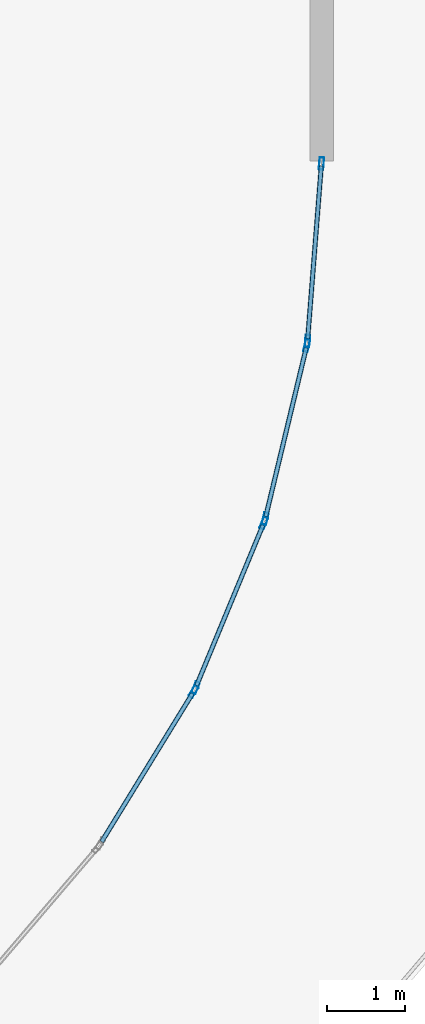
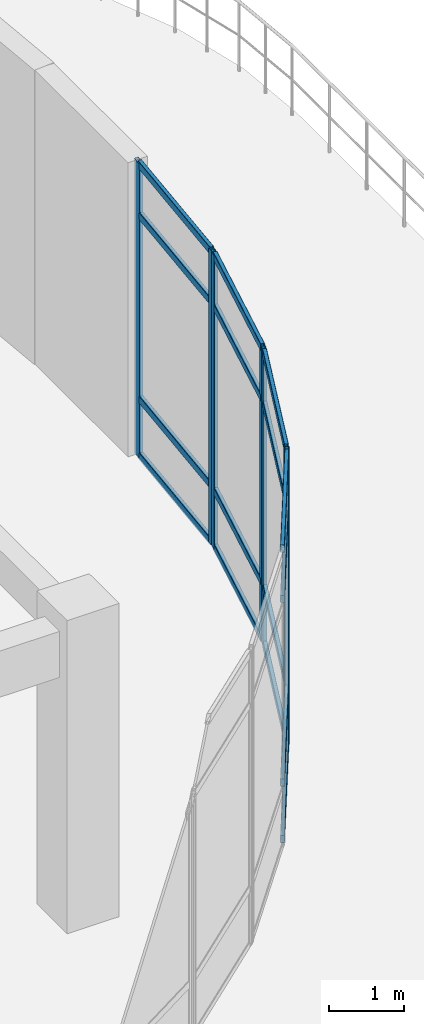
# One storey, part 79 of 124: 23 members, 4 elements without a shape of their own.
"""IFC4 building model written with IfcOpenShell, lengths in metres."""

from ifc_helpers import new_model, si_unit, derived_unit, direction, frame, origin, origin_2d, place, context, subcontext, project, spatial, hollow_rectangle, extrude, material, layer, layer_set, material_profile, profile_set, type_object, element, aggregate, save


model = new_model("IFC4")

# Units and contexts
model_context = context("Model", 3, precision=1e-05, world=origin(), true_north=direction((0.0, 1.0)))
body_context = subcontext(model_context, "Body", "Model", "MODEL_VIEW")
ifc_project = project(units=[si_unit("LENGTHUNIT", "METRE"), si_unit("AREAUNIT", "SQUARE_METRE"), si_unit("VOLUMEUNIT", "CUBIC_METRE"), si_unit("PLANEANGLEUNIT", "RADIAN"), si_unit("MASSUNIT", "GRAM", prefix="KILO"), derived_unit("THERMALTRANSMITTANCEUNIT", [(si_unit("MASSUNIT", "GRAM", prefix="KILO"), 1), (si_unit("TIMEUNIT", "SECOND"), -3), (si_unit("THERMODYNAMICTEMPERATUREUNIT", "KELVIN"), -1)])], contexts=[model_context])

# Site, building, storey
site_placement = place(None, origin())
site = spatial("IfcSite", under=ifc_project, at=site_placement, CompositionType="ELEMENT")
building_placement = place(site_placement, origin())
building = spatial("IfcBuilding", under=site, at=building_placement, Name="Qinzheling Arcade Emporium", CompositionType="ELEMENT")
storey_placement = place(building_placement, frame((0.0, 0.0, 16.5)))
storey = spatial("IfcBuildingStorey", under=building, at=storey_placement, Name="L04", CompositionType="ELEMENT", Elevation=16.5)

# Curtain wall, members
ifc_material_1 = material(Name="Anodised aluminium and solar-control double glazing", Category="aluminium")
ifc_layer_1 = layer(ifc_material_1, 0.159912109375, Name="Anodised aluminium and solar-control double glazing", Category="aluminium")
ifc_layer_set_1 = layer_set([ifc_layer_1], Name="Anodised aluminium and solar-control double glazing")
curtain_wall_type_1 = type_object("IfcCurtainWallType", Name="Food Hall Loggia Curtain Wall", PredefinedType="NOTDEFINED", material=ifc_layer_set_1)
curtain_wall_1_placement = place(storey_placement, origin())
curtain_wall_1 = element("IfcCurtainWall", 1, at=curtain_wall_1_placement, inside=storey, type_object=curtain_wall_type_1, Name="Curtain Wall CW-L04-208", PredefinedType="NOTDEFINED")
ifc_material_2 = material(Name="Anodised aluminium 6063-T6", Category="aluminium")
ifc_material_profile_1 = material_profile(ifc_material_2, hollow_rectangle(XDim=0.06005859375, YDim=0.159912109375, WallThickness=0.00390625, InnerFilletRadius=0.00390625, OuterFilletRadius=0.008056640625, at=origin_2d()), Name="RHS 160x60x4", Category="aluminium")
ifc_profile_set_1 = profile_set([ifc_material_profile_1], Name="Anodised aluminium 6063-T6")
member_type_1 = type_object("IfcMemberType", Name="Curtain Wall Mullion RHS160x60", PredefinedType="MULLION", material=ifc_profile_set_1)
member_1_placement = place(storey_placement, frame((162.59765625, 17.170166015625, 0.0), z_axis=(0.0, 0.0, 1.0), x_axis=(0.996907788119, -0.078580290076, 0.0)))
member_1 = element("IfcMember", 2, at=member_1_placement, type_object=member_type_1, Name="CW04 mullion 1", PredefinedType="MULLION", context=body_context, shape_type="SweptSolid", body=[
    extrude(hollow_rectangle(XDim=0.06005859375, YDim=0.159912109375, WallThickness=0.00390625, InnerFilletRadius=0.00390625, OuterFilletRadius=0.008056640625, at=origin_2d()), origin(), (0.0, 0.0, 1.0), 4.7900390625),
])
member_2_placement = place(storey_placement, frame((162.417236328125, 14.8828125, 0.0), z_axis=(0.0, 0.0, 1.0), x_axis=(0.996907788119, -0.078580290076, 0.0)))
member_2 = element("IfcMember", 3, at=member_2_placement, type_object=member_type_1, Name="CW04 mullion 2", PredefinedType="MULLION", context=body_context, shape_type="SweptSolid", body=[
    extrude(hollow_rectangle(XDim=0.06005859375, YDim=0.159912109375, WallThickness=0.00390625, InnerFilletRadius=0.00390625, OuterFilletRadius=0.008056640625, at=origin_2d()), origin(), (0.0, 0.0, 1.0), 4.7900390625),
])

ifc_layer_2 = layer(ifc_material_1, 0.159912109375, Name="Anodised aluminium and solar-control double glazing", Category="aluminium")
ifc_layer_set_2 = layer_set([ifc_layer_2], Name="Anodised aluminium and solar-control double glazing")
curtain_wall_type_2 = type_object("IfcCurtainWallType", Name="Curved Ribbon Sales Curtain Wall", PredefinedType="NOTDEFINED", material=ifc_layer_set_2)
curtain_wall_2_placement = place(storey_placement, origin())
curtain_wall_2 = element("IfcCurtainWall", 4, at=curtain_wall_2_placement, inside=storey, type_object=curtain_wall_type_2, Name="Curtain Wall CW-L04-209", PredefinedType="NOTDEFINED")
member_3_placement = place(storey_placement, frame((162.407958984375, 14.82373046875, 0.0), z_axis=(0.0, 0.0, 1.0), x_axis=(0.972398874145, -0.233324729854, 0.0)))
member_3 = element("IfcMember", 5, at=member_3_placement, type_object=member_type_1, Name="CW02 mullion 1", PredefinedType="MULLION", context=body_context, shape_type="SweptSolid", body=[
    extrude(hollow_rectangle(XDim=0.06005859375, YDim=0.159912109375, WallThickness=0.00390625, InnerFilletRadius=0.00390625, OuterFilletRadius=0.008056640625, at=origin_2d()), origin(), (0.0, 0.0, 1.0), 4.7900390625),
])
member_4_placement = place(storey_placement, frame((161.873046875, 12.59423828125, 0.0), z_axis=(0.0, 0.0, 1.0), x_axis=(0.972398874145, -0.233324729854, 0.0)))
member_4 = element("IfcMember", 6, at=member_4_placement, type_object=member_type_1, Name="CW02 mullion 2", PredefinedType="MULLION", context=body_context, shape_type="SweptSolid", body=[
    extrude(hollow_rectangle(XDim=0.06005859375, YDim=0.159912109375, WallThickness=0.00390625, InnerFilletRadius=0.00390625, OuterFilletRadius=0.008056640625, at=origin_2d()), origin(), (0.0, 0.0, 1.0), 4.7900390625),
])

curtain_wall_3_placement = place(storey_placement, origin())
curtain_wall_3 = element("IfcCurtainWall", 7, at=curtain_wall_3_placement, inside=storey, type_object=curtain_wall_type_2, Name="Curtain Wall CW-L04-210", PredefinedType="NOTDEFINED")
member_5_placement = place(storey_placement, frame((161.8544921875, 12.537353515625, 0.0), z_axis=(0.0, 0.0, 1.0), x_axis=(0.923866691535, -0.382714431752, 0.0)))
member_5 = element("IfcMember", 8, at=member_5_placement, type_object=member_type_1, Name="CW02 mullion 1", PredefinedType="MULLION", context=body_context, shape_type="SweptSolid", body=[
    extrude(hollow_rectangle(XDim=0.06005859375, YDim=0.159912109375, WallThickness=0.00390625, InnerFilletRadius=0.00390625, OuterFilletRadius=0.008056640625, at=origin_2d()), origin(), (0.0, 0.0, 1.0), 4.7900390625),
])
member_6_placement = place(storey_placement, frame((160.9765625, 10.417724609375, 0.0), z_axis=(0.0, 0.0, 1.0), x_axis=(0.923866691535, -0.382714431752, 0.0)))
member_6 = element("IfcMember", 9, at=member_6_placement, type_object=member_type_1, Name="CW02 mullion 2", PredefinedType="MULLION", context=body_context, shape_type="SweptSolid", body=[
    extrude(hollow_rectangle(XDim=0.06005859375, YDim=0.159912109375, WallThickness=0.00390625, InnerFilletRadius=0.00390625, OuterFilletRadius=0.008056640625, at=origin_2d()), origin(), (0.0, 0.0, 1.0), 4.7900390625),
])

# Curtain wall, member
curtain_wall_4_placement = place(storey_placement, origin())
curtain_wall_4 = element("IfcCurtainWall", 10, at=curtain_wall_4_placement, inside=storey, type_object=curtain_wall_type_2, Name="Curtain Wall CW-L04-211", PredefinedType="NOTDEFINED")
member_7_placement = place(storey_placement, frame((160.94921875, 10.364501953125, 0.0), z_axis=(0.0, 0.0, 1.0), x_axis=(0.852619568756, -0.522532172191, 0.0)))
member_7 = element("IfcMember", 11, at=member_7_placement, type_object=member_type_1, Name="CW02 mullion 1", PredefinedType="MULLION", context=body_context, shape_type="SweptSolid", body=[
    extrude(hollow_rectangle(XDim=0.06005859375, YDim=0.159912109375, WallThickness=0.00390625, InnerFilletRadius=0.00390625, OuterFilletRadius=0.008056640625, at=origin_2d()), origin(), (0.0, 0.0, 1.0), 4.7900390625),
])

# Member
ifc_material_profile_2 = material_profile(ifc_material_2, hollow_rectangle(XDim=0.06005859375, YDim=0.1201171875, WallThickness=0.00390625, InnerFilletRadius=0.00390625, OuterFilletRadius=0.008056640625, at=origin_2d()), Name="RHS 120x60x4", Category="aluminium")
ifc_profile_set_2 = profile_set([ifc_material_profile_2], Name="Anodised aluminium 6063-T6")
member_type_2 = type_object("IfcMemberType", Name="Curtain Wall Transom RHS120x60", PredefinedType="USERDEFINED", material=ifc_profile_set_2)
member_8_placement = place(storey_placement, frame((162.59521484375, 17.14013671875, 0.030029296875), z_axis=(-0.078568166905, -0.996908743642, 0.0), x_axis=(0.996908743642, -0.078568166905, 0.0)))
member_8 = element("IfcMember", 12, at=member_8_placement, type_object=member_type_2, Name="CW04 transom 1.1", ObjectType="TRANSOM", PredefinedType="USERDEFINED", context=body_context, shape_type="SweptSolid", body=[
    extrude(hollow_rectangle(XDim=0.06005859375, YDim=0.1201171875, WallThickness=0.00390625, InnerFilletRadius=0.00390625, OuterFilletRadius=0.008056640625, at=origin_2d()), origin(), (0.0, 0.0, 1.0), 2.234130859375),
])

member_9_placement = place(storey_placement, frame((162.59521484375, 17.14013671875, 0.949951171875), z_axis=(-0.078568166905, -0.996908743642, 0.0), x_axis=(0.996908743642, -0.078568166905, 0.0)))
member_9 = element("IfcMember", 13, at=member_9_placement, type_object=member_type_2, Name="CW04 transom 1.2", ObjectType="TRANSOM", PredefinedType="USERDEFINED", context=body_context, shape_type="SweptSolid", body=[
    extrude(hollow_rectangle(XDim=0.06005859375, YDim=0.1201171875, WallThickness=0.00390625, InnerFilletRadius=0.00390625, OuterFilletRadius=0.008056640625, at=origin_2d()), origin(), (0.0, 0.0, 1.0), 2.234130859375),
])

member_10_placement = place(storey_placement, frame((162.59521484375, 17.14013671875, 3.93994140625), z_axis=(-0.078568166905, -0.996908743642, 0.0), x_axis=(0.996908743642, -0.078568166905, 0.0)))
member_10 = element("IfcMember", 14, at=member_10_placement, type_object=member_type_2, Name="CW04 transom 1.3", ObjectType="TRANSOM", PredefinedType="USERDEFINED", context=body_context, shape_type="SweptSolid", body=[
    extrude(hollow_rectangle(XDim=0.06005859375, YDim=0.1201171875, WallThickness=0.00390625, InnerFilletRadius=0.00390625, OuterFilletRadius=0.008056640625, at=origin_2d()), origin(), (0.0, 0.0, 1.0), 2.234130859375),
])

member_11_placement = place(storey_placement, frame((162.59521484375, 17.14013671875, 4.760009765625), z_axis=(-0.078568166905, -0.996908743642, 0.0), x_axis=(0.996908743642, -0.078568166905, 0.0)))
member_11 = element("IfcMember", 15, at=member_11_placement, type_object=member_type_2, Name="CW04 transom 1.4", ObjectType="TRANSOM", PredefinedType="USERDEFINED", context=body_context, shape_type="SweptSolid", body=[
    extrude(hollow_rectangle(XDim=0.06005859375, YDim=0.1201171875, WallThickness=0.00390625, InnerFilletRadius=0.00390625, OuterFilletRadius=0.008056640625, at=origin_2d()), origin(), (0.0, 0.0, 1.0), 2.234130859375),
])

aggregate(curtain_wall_1, [member_1, member_2, member_8, member_9, member_10, member_11])

member_12_placement = place(storey_placement, frame((162.40087890625, 14.794677734375, 0.030029296875), z_axis=(-0.233315060543, -0.972401194222, 0.0), x_axis=(0.972401194222, -0.233315060543, 0.0)))
member_12 = element("IfcMember", 16, at=member_12_placement, type_object=member_type_2, Name="CW02 transom 1.1", ObjectType="TRANSOM", PredefinedType="USERDEFINED", context=body_context, shape_type="SweptSolid", body=[
    extrude(hollow_rectangle(XDim=0.06005859375, YDim=0.1201171875, WallThickness=0.00390625, InnerFilletRadius=0.00390625, OuterFilletRadius=0.008056640625, at=origin_2d()), origin(), (0.0, 0.0, 1.0), 2.23291015625),
])

member_13_placement = place(storey_placement, frame((162.40087890625, 14.794677734375, 0.949951171875), z_axis=(-0.233315060543, -0.972401194222, 0.0), x_axis=(0.972401194222, -0.233315060543, 0.0)))
member_13 = element("IfcMember", 17, at=member_13_placement, type_object=member_type_2, Name="CW02 transom 1.2", ObjectType="TRANSOM", PredefinedType="USERDEFINED", context=body_context, shape_type="SweptSolid", body=[
    extrude(hollow_rectangle(XDim=0.06005859375, YDim=0.1201171875, WallThickness=0.00390625, InnerFilletRadius=0.00390625, OuterFilletRadius=0.008056640625, at=origin_2d()), origin(), (0.0, 0.0, 1.0), 2.23291015625),
])

member_14_placement = place(storey_placement, frame((162.40087890625, 14.794677734375, 3.93994140625), z_axis=(-0.233315060543, -0.972401194222, 0.0), x_axis=(0.972401194222, -0.233315060543, 0.0)))
member_14 = element("IfcMember", 18, at=member_14_placement, type_object=member_type_2, Name="CW02 transom 1.3", ObjectType="TRANSOM", PredefinedType="USERDEFINED", context=body_context, shape_type="SweptSolid", body=[
    extrude(hollow_rectangle(XDim=0.06005859375, YDim=0.1201171875, WallThickness=0.00390625, InnerFilletRadius=0.00390625, OuterFilletRadius=0.008056640625, at=origin_2d()), origin(), (0.0, 0.0, 1.0), 2.23291015625),
])

member_15_placement = place(storey_placement, frame((162.40087890625, 14.794677734375, 4.760009765625), z_axis=(-0.233315060543, -0.972401194222, 0.0), x_axis=(0.972401194222, -0.233315060543, 0.0)))
member_15 = element("IfcMember", 19, at=member_15_placement, type_object=member_type_2, Name="CW02 transom 1.4", ObjectType="TRANSOM", PredefinedType="USERDEFINED", context=body_context, shape_type="SweptSolid", body=[
    extrude(hollow_rectangle(XDim=0.06005859375, YDim=0.1201171875, WallThickness=0.00390625, InnerFilletRadius=0.00390625, OuterFilletRadius=0.008056640625, at=origin_2d()), origin(), (0.0, 0.0, 1.0), 2.23291015625),
])

aggregate(curtain_wall_2, [member_3, member_4, member_12, member_13, member_14, member_15])

member_16_placement = place(storey_placement, frame((161.843017578125, 12.509521484375, 0.030029296875), z_axis=(-0.382667047817, -0.923886319043, 0.0), x_axis=(0.923886319043, -0.382667047817, 0.0)))
member_16 = element("IfcMember", 20, at=member_16_placement, type_object=member_type_2, Name="CW02 transom 1.1", ObjectType="TRANSOM", PredefinedType="USERDEFINED", context=body_context, shape_type="SweptSolid", body=[
    extrude(hollow_rectangle(XDim=0.06005859375, YDim=0.1201171875, WallThickness=0.00390625, InnerFilletRadius=0.00390625, OuterFilletRadius=0.008056640625, at=origin_2d()), origin(), (0.0, 0.0, 1.0), 2.234375),
])

member_17_placement = place(storey_placement, frame((161.843017578125, 12.509521484375, 0.949951171875), z_axis=(-0.382667047817, -0.923886319043, 0.0), x_axis=(0.923886319043, -0.382667047817, 0.0)))
member_17 = element("IfcMember", 21, at=member_17_placement, type_object=member_type_2, Name="CW02 transom 1.2", ObjectType="TRANSOM", PredefinedType="USERDEFINED", context=body_context, shape_type="SweptSolid", body=[
    extrude(hollow_rectangle(XDim=0.06005859375, YDim=0.1201171875, WallThickness=0.00390625, InnerFilletRadius=0.00390625, OuterFilletRadius=0.008056640625, at=origin_2d()), origin(), (0.0, 0.0, 1.0), 2.234375),
])

member_18_placement = place(storey_placement, frame((161.843017578125, 12.509521484375, 3.93994140625), z_axis=(-0.382667047817, -0.923886319043, 0.0), x_axis=(0.923886319043, -0.382667047817, 0.0)))
member_18 = element("IfcMember", 22, at=member_18_placement, type_object=member_type_2, Name="CW02 transom 1.3", ObjectType="TRANSOM", PredefinedType="USERDEFINED", context=body_context, shape_type="SweptSolid", body=[
    extrude(hollow_rectangle(XDim=0.06005859375, YDim=0.1201171875, WallThickness=0.00390625, InnerFilletRadius=0.00390625, OuterFilletRadius=0.008056640625, at=origin_2d()), origin(), (0.0, 0.0, 1.0), 2.234375),
])

member_19_placement = place(storey_placement, frame((161.843017578125, 12.509521484375, 4.760009765625), z_axis=(-0.382667047817, -0.923886319043, 0.0), x_axis=(0.923886319043, -0.382667047817, 0.0)))
member_19 = element("IfcMember", 23, at=member_19_placement, type_object=member_type_2, Name="CW02 transom 1.4", ObjectType="TRANSOM", PredefinedType="USERDEFINED", context=body_context, shape_type="SweptSolid", body=[
    extrude(hollow_rectangle(XDim=0.06005859375, YDim=0.1201171875, WallThickness=0.00390625, InnerFilletRadius=0.00390625, OuterFilletRadius=0.008056640625, at=origin_2d()), origin(), (0.0, 0.0, 1.0), 2.234375),
])

aggregate(curtain_wall_3, [member_5, member_6, member_16, member_17, member_18, member_19])

member_20_placement = place(storey_placement, frame((160.93359375, 10.3388671875, 0.030029296875), z_axis=(-0.52249286425, -0.852643657578, 0.0), x_axis=(0.852643657578, -0.52249286425, 0.0)))
member_20 = element("IfcMember", 24, at=member_20_placement, type_object=member_type_2, Name="CW02 transom 1.1", ObjectType="TRANSOM", PredefinedType="USERDEFINED", context=body_context, shape_type="SweptSolid", body=[
    extrude(hollow_rectangle(XDim=0.06005859375, YDim=0.1201171875, WallThickness=0.00390625, InnerFilletRadius=0.00390625, OuterFilletRadius=0.008056640625, at=origin_2d()), origin(), (0.0, 0.0, 1.0), 2.23388671875),
])

member_21_placement = place(storey_placement, frame((160.93359375, 10.3388671875, 0.949951171875), z_axis=(-0.52249286425, -0.852643657578, 0.0), x_axis=(0.852643657578, -0.52249286425, 0.0)))
member_21 = element("IfcMember", 25, at=member_21_placement, type_object=member_type_2, Name="CW02 transom 1.2", ObjectType="TRANSOM", PredefinedType="USERDEFINED", context=body_context, shape_type="SweptSolid", body=[
    extrude(hollow_rectangle(XDim=0.06005859375, YDim=0.1201171875, WallThickness=0.00390625, InnerFilletRadius=0.00390625, OuterFilletRadius=0.008056640625, at=origin_2d()), origin(), (0.0, 0.0, 1.0), 2.23388671875),
])

member_22_placement = place(storey_placement, frame((160.93359375, 10.3388671875, 3.93994140625), z_axis=(-0.52249286425, -0.852643657578, 0.0), x_axis=(0.852643657578, -0.52249286425, 0.0)))
member_22 = element("IfcMember", 26, at=member_22_placement, type_object=member_type_2, Name="CW02 transom 1.3", ObjectType="TRANSOM", PredefinedType="USERDEFINED", context=body_context, shape_type="SweptSolid", body=[
    extrude(hollow_rectangle(XDim=0.06005859375, YDim=0.1201171875, WallThickness=0.00390625, InnerFilletRadius=0.00390625, OuterFilletRadius=0.008056640625, at=origin_2d()), origin(), (0.0, 0.0, 1.0), 2.23388671875),
])

member_23_placement = place(storey_placement, frame((160.93359375, 10.3388671875, 4.760009765625), z_axis=(-0.52249286425, -0.852643657578, 0.0), x_axis=(0.852643657578, -0.52249286425, 0.0)))
member_23 = element("IfcMember", 27, at=member_23_placement, type_object=member_type_2, Name="CW02 transom 1.4", ObjectType="TRANSOM", PredefinedType="USERDEFINED", context=body_context, shape_type="SweptSolid", body=[
    extrude(hollow_rectangle(XDim=0.06005859375, YDim=0.1201171875, WallThickness=0.00390625, InnerFilletRadius=0.00390625, OuterFilletRadius=0.008056640625, at=origin_2d()), origin(), (0.0, 0.0, 1.0), 2.23388671875),
])

aggregate(curtain_wall_4, [member_7, member_20, member_21, member_22, member_23])

save(model, "model.ifc")
